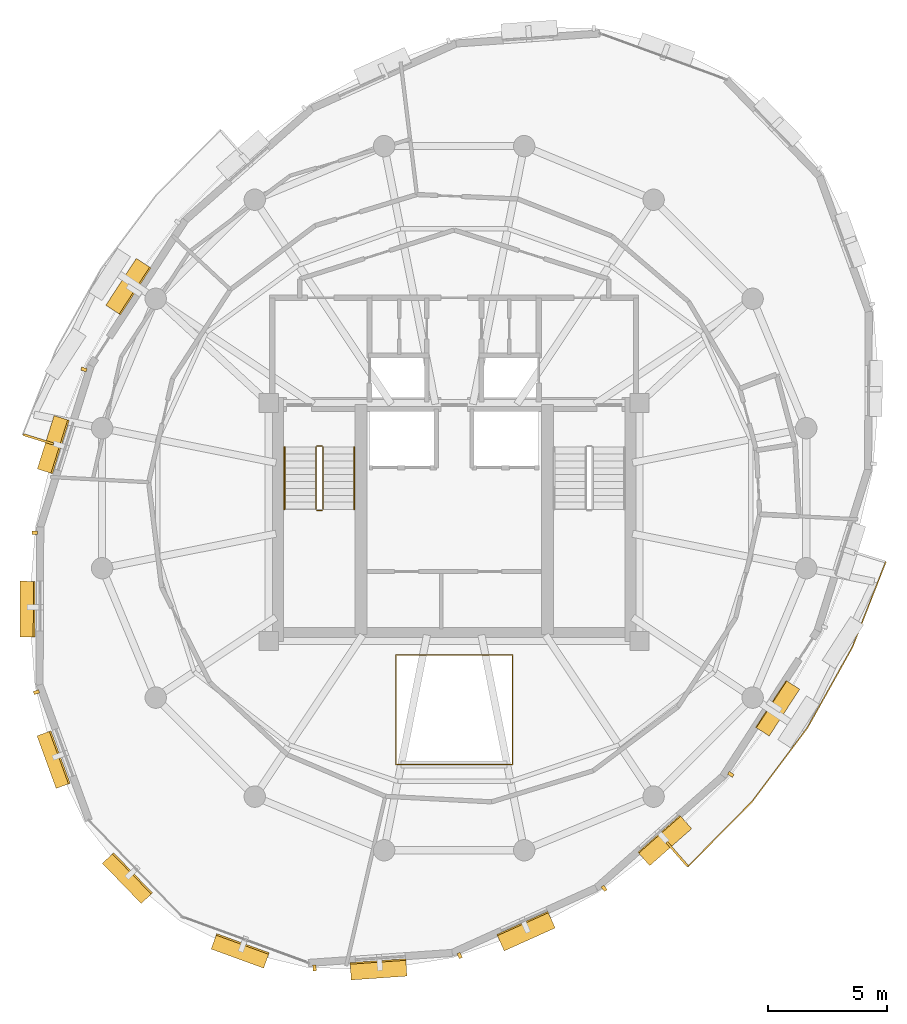
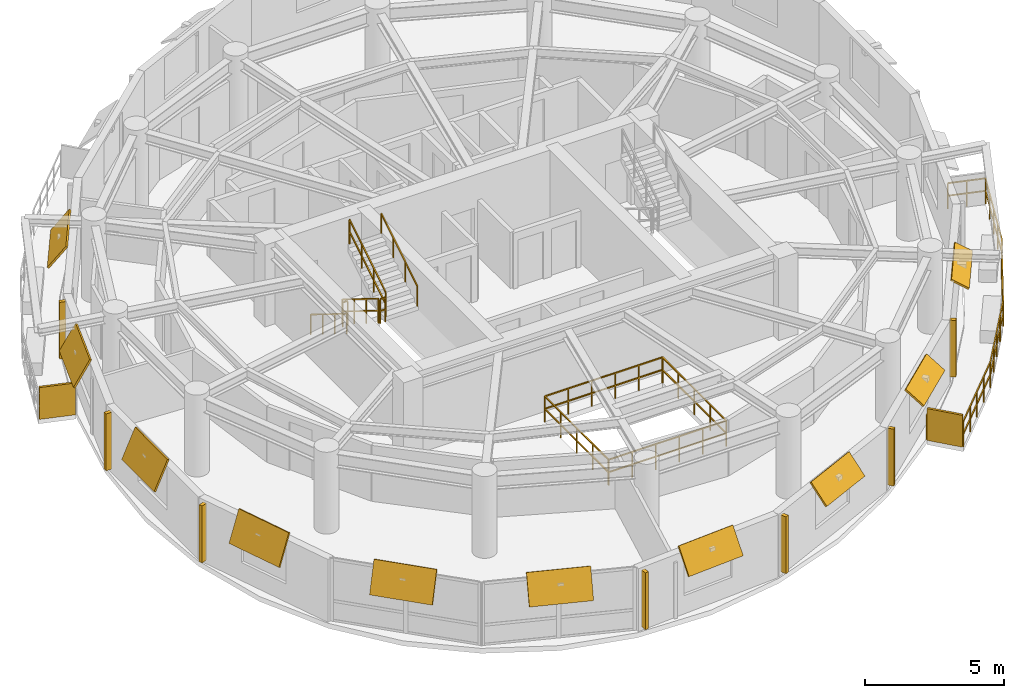
# One storey, part 10 of 11: 19 shading devices, 8 railings.
"""IFC4 building model written with IfcOpenShell, lengths in metres."""

from ifc_helpers import new_model, si_unit, direction, frame, origin, origin_2d, place, context, subcontext, project, spatial, rectangle, extrude, material, layer, layer_set, type_object, element, save


model = new_model("IFC4")

# Units and contexts
model_context = context("Model", 3, precision=1e-05, world=origin(), true_north=direction((0.0, 1.0)))
body_context = subcontext(model_context, "Body", "Model", "MODEL_VIEW")
ifc_project = project(units=[si_unit("LENGTHUNIT", "METRE"), si_unit("AREAUNIT", "SQUARE_METRE"), si_unit("VOLUMEUNIT", "CUBIC_METRE"), si_unit("PLANEANGLEUNIT", "RADIAN"), si_unit("MASSUNIT", "GRAM", prefix="KILO"), si_unit("THERMODYNAMICTEMPERATUREUNIT", "KELVIN"), si_unit("POWERUNIT", "WATT")], contexts=[model_context])

# Site, building, storey
site_placement = place(None, origin())
site = spatial("IfcSite", under=ifc_project, at=site_placement, CompositionType="ELEMENT")
building_placement = place(site_placement, origin())
building = spatial("IfcBuilding", under=site, at=building_placement, Name="Ocrelia Relay Tower", CompositionType="ELEMENT")
storey_placement = place(building_placement, frame((0.0, 0.0, 266.39990234375)))
storey = spatial("IfcBuildingStorey", under=building, at=storey_placement, Name="L66", CompositionType="ELEMENT", Elevation=266.39990234375)

# Railings
ifc_material_1 = material(Name="Steel S355 balustrade", Category="steel")
railing_type_1 = type_object("IfcRailingType", Name="RL-EXT-GUARD-1150", PredefinedType="GUARDRAIL", material=ifc_material_1)
railing_1_placement = place(storey_placement, frame((50.82373046875, 23.729736328125, 0.0)))
element("IfcRailing", 1, at=railing_1_placement, inside=storey, type_object=railing_type_1, Name="L66 Loggia Balcony Guard Rail B2", PredefinedType="GUARDRAIL", context=body_context, shape_type="SweptSolid", body=[
    extrude(rectangle(XDim=0.048095703125, YDim=0.048095703125, at=origin_2d()), frame((0.0, 0.0, 1.1259765625), z_axis=(0.954719725428, -0.297506715687, 0.0), x_axis=(0.297506715687, 0.954719725428, 0.0)), (0.0, 0.0, 1.0), 1.393310546875),
    extrude(rectangle(XDim=0.048095703125, YDim=0.048095703125, at=origin_2d()), frame((0.0, 0.0, 0.574951171875), z_axis=(0.954719725428, -0.297506715687, 0.0), x_axis=(0.297506715687, 0.954719725428, 0.0)), (0.0, 0.0, 1.0), 1.393310546875),
    extrude(rectangle(XDim=0.048095703125, YDim=0.048095703125, at=origin_2d()), frame((1.330322265625, -0.41455078125, 1.1259765625), z_axis=(-0.364279534591, -0.931289654553, 0.0), x_axis=(0.931289654553, -0.364279534591, 0.0)), (0.0, 0.0, 1.0), 1.9208984375),
    extrude(rectangle(XDim=0.048095703125, YDim=0.048095703125, at=origin_2d()), frame((1.330322265625, -0.41455078125, 0.574951171875), z_axis=(-0.364279534591, -0.931289654553, 0.0), x_axis=(0.931289654553, -0.364279534591, 0.0)), (0.0, 0.0, 1.0), 1.9208984375),
    extrude(rectangle(XDim=0.048095703125, YDim=0.048095703125, at=origin_2d()), frame((0.630615234375, -2.203369140625, 1.1259765625), z_axis=(-0.364126183575, -0.931349624167, 0.0), x_axis=(0.931349624167, -0.364126183575, 0.0)), (0.0, 0.0, 1.0), 1.9208984375),
    extrude(rectangle(XDim=0.048095703125, YDim=0.048095703125, at=origin_2d()), frame((0.630615234375, -2.203369140625, 0.574951171875), z_axis=(-0.364126183575, -0.931349624167, 0.0), x_axis=(0.931349624167, -0.364126183575, 0.0)), (0.0, 0.0, 1.0), 1.9208984375),
    extrude(rectangle(XDim=0.048095703125, YDim=0.048095703125, at=origin_2d()), frame((-0.06884765625, -3.992431640625, 1.1259765625), z_axis=(-0.487137508606, -0.87332528173, 0.0), x_axis=(0.87332528173, -0.487137508606, 0.0)), (0.0, 0.0, 1.0), 3.881591796875),
    extrude(rectangle(XDim=0.048095703125, YDim=0.048095703125, at=origin_2d()), frame((-0.06884765625, -3.992431640625, 0.574951171875), z_axis=(-0.487137508606, -0.87332528173, 0.0), x_axis=(0.87332528173, -0.487137508606, 0.0)), (0.0, 0.0, 1.0), 3.881591796875),
    extrude(rectangle(XDim=0.048095703125, YDim=0.048095703125, at=origin_2d()), frame((-1.959716796875, -7.38232421875, 1.1259765625), z_axis=(-0.59968803612, -0.800233877897, 0.0), x_axis=(0.800233877897, -0.59968803612, 0.0)), (0.0, 0.0, 1.0), 3.88232421875),
    extrude(rectangle(XDim=0.048095703125, YDim=0.048095703125, at=origin_2d()), frame((-1.959716796875, -7.38232421875, 0.574951171875), z_axis=(-0.59968803612, -0.800233877897, 0.0), x_axis=(0.800233877897, -0.59968803612, 0.0)), (0.0, 0.0, 1.0), 3.88232421875),
    extrude(rectangle(XDim=0.048095703125, YDim=0.048095703125, at=origin_2d()), frame((-4.287841796875, -10.489013671875, 1.1259765625), z_axis=(-0.702707614437, -0.711478747829, 0.0), x_axis=(0.711478747829, -0.702707614437, 0.0)), (0.0, 0.0, 1.0), 1.920654296875),
    extrude(rectangle(XDim=0.048095703125, YDim=0.048095703125, at=origin_2d()), frame((-4.287841796875, -10.489013671875, 0.574951171875), z_axis=(-0.702707614437, -0.711478747829, 0.0), x_axis=(0.711478747829, -0.702707614437, 0.0)), (0.0, 0.0, 1.0), 1.920654296875),
    extrude(rectangle(XDim=0.048095703125, YDim=0.048095703125, at=origin_2d()), frame((-5.637451171875, -11.85546875, 1.1259765625), z_axis=(-0.702644063333, -0.711541509866, 0.0), x_axis=(0.711541509866, -0.702644063333, 0.0)), (0.0, 0.0, 1.0), 1.920654296875),
    extrude(rectangle(XDim=0.048095703125, YDim=0.048095703125, at=origin_2d()), frame((-5.637451171875, -11.85546875, 0.574951171875), z_axis=(-0.702644063333, -0.711541509866, 0.0), x_axis=(0.711541509866, -0.702644063333, 0.0)), (0.0, 0.0, 1.0), 1.920654296875),
    extrude(rectangle(XDim=0.048095703125, YDim=0.048095703125, at=origin_2d()), frame((-6.987060546875, -13.22216796875, 1.1259765625), z_axis=(-0.660177516294, 0.751109610497, 0.0), x_axis=(-0.751109610497, -0.660177516294, 0.0)), (0.0, 0.0, 1.0), 1.3935546875),
    extrude(rectangle(XDim=0.048095703125, YDim=0.048095703125, at=origin_2d()), frame((-6.987060546875, -13.22216796875, 0.574951171875), z_axis=(-0.660177516294, 0.751109610497, 0.0), x_axis=(-0.751109610497, -0.660177516294, 0.0)), (0.0, 0.0, 1.0), 1.3935546875),
    extrude(rectangle(XDim=0.0419921875, YDim=0.0419921875, at=origin_2d()), origin(), (0.0, 0.0, 1.0), 1.101806640625),
    extrude(rectangle(XDim=0.0419921875, YDim=0.0419921875, at=origin_2d()), frame((0.6650390625, -0.207275390625, 0.0)), (0.0, 0.0, 1.0), 1.101806640625),
    extrude(rectangle(XDim=0.0419921875, YDim=0.0419921875, at=origin_2d()), frame((1.330322265625, -0.41455078125, 0.0)), (0.0, 0.0, 1.0), 1.101806640625),
    extrude(rectangle(XDim=0.0419921875, YDim=0.0419921875, at=origin_2d()), frame((0.98046875, -1.30908203125, 0.0)), (0.0, 0.0, 1.0), 1.101806640625),
    extrude(rectangle(XDim=0.0419921875, YDim=0.0419921875, at=origin_2d()), frame((0.630615234375, -2.203369140625, 0.0)), (0.0, 0.0, 1.0), 1.101806640625),
    extrude(rectangle(XDim=0.0419921875, YDim=0.0419921875, at=origin_2d()), frame((0.28076171875, -3.097900390625, 0.0)), (0.0, 0.0, 1.0), 1.101806640625),
    extrude(rectangle(XDim=0.0419921875, YDim=0.0419921875, at=origin_2d()), frame((-0.06884765625, -3.992431640625, 0.0)), (0.0, 0.0, 1.0), 1.101806640625),
    extrude(rectangle(XDim=0.0419921875, YDim=0.0419921875, at=origin_2d()), frame((-0.54150390625, -4.83984375, 0.0)), (0.0, 0.0, 1.0), 1.101806640625),
    extrude(rectangle(XDim=0.0419921875, YDim=0.0419921875, at=origin_2d()), frame((-1.01416015625, -5.6875, 0.0)), (0.0, 0.0, 1.0), 1.101806640625),
    extrude(rectangle(XDim=0.0419921875, YDim=0.0419921875, at=origin_2d()), frame((-1.487060546875, -6.534912109375, 0.0)), (0.0, 0.0, 1.0), 1.101806640625),
    extrude(rectangle(XDim=0.0419921875, YDim=0.0419921875, at=origin_2d()), frame((-1.959716796875, -7.38232421875, 0.0)), (0.0, 0.0, 1.0), 1.101806640625),
    extrude(rectangle(XDim=0.0419921875, YDim=0.0419921875, at=origin_2d()), frame((-2.541748046875, -8.158935546875, 0.0)), (0.0, 0.0, 1.0), 1.101806640625),
    extrude(rectangle(XDim=0.0419921875, YDim=0.0419921875, at=origin_2d()), frame((-3.123779296875, -8.935546875, 0.0)), (0.0, 0.0, 1.0), 1.101806640625),
    extrude(rectangle(XDim=0.0419921875, YDim=0.0419921875, at=origin_2d()), frame((-3.705810546875, -9.71240234375, 0.0)), (0.0, 0.0, 1.0), 1.101806640625),
    extrude(rectangle(XDim=0.0419921875, YDim=0.0419921875, at=origin_2d()), frame((-4.287841796875, -10.489013671875, 0.0)), (0.0, 0.0, 1.0), 1.101806640625),
    extrude(rectangle(XDim=0.0419921875, YDim=0.0419921875, at=origin_2d()), frame((-4.962646484375, -11.17236328125, 0.0)), (0.0, 0.0, 1.0), 1.101806640625),
    extrude(rectangle(XDim=0.0419921875, YDim=0.0419921875, at=origin_2d()), frame((-5.637451171875, -11.85546875, 0.0)), (0.0, 0.0, 1.0), 1.101806640625),
    extrude(rectangle(XDim=0.0419921875, YDim=0.0419921875, at=origin_2d()), frame((-6.312255859375, -12.538818359375, 0.0)), (0.0, 0.0, 1.0), 1.101806640625),
    extrude(rectangle(XDim=0.0419921875, YDim=0.0419921875, at=origin_2d()), frame((-6.987060546875, -13.22216796875, 0.0)), (0.0, 0.0, 1.0), 1.101806640625),
    extrude(rectangle(XDim=0.0419921875, YDim=0.0419921875, at=origin_2d()), frame((-7.447021484375, -12.69873046875, 0.0)), (0.0, 0.0, 1.0), 1.101806640625),
    extrude(rectangle(XDim=0.0419921875, YDim=0.0419921875, at=origin_2d()), frame((-7.906982421875, -12.175537109375, 0.0)), (0.0, 0.0, 1.0), 1.101806640625),
])
ifc_material_2 = material(Name="Steel S355 atrium balustrade", Category="steel")
railing_type_2 = type_object("IfcRailingType", Name="RL-INT-GUARD-115", PredefinedType="GUARDRAIL", material=ifc_material_2)
railing_2_placement = place(storey_placement, frame((31.550048828125, 14.800048828125, 0.0)))
element("IfcRailing", 2, at=railing_2_placement, inside=storey, type_object=railing_type_2, Name="L66 Multi-Zone Interior Atrium Guard", PredefinedType="GUARDRAIL", context=body_context, shape_type="SweptSolid", body=[
    extrude(rectangle(XDim=0.048095703125, YDim=0.048095703125, at=origin_2d()), frame((0.0, 0.0, 1.1259765625), z_axis=(1.0, 0.0, 0.0), x_axis=(0.0, 1.0, 0.0)), (0.0, 0.0, 1.0), 4.89990234375),
    extrude(rectangle(XDim=0.048095703125, YDim=0.048095703125, at=origin_2d()), frame((0.0, 0.0, 0.574951171875), z_axis=(1.0, 0.0, 0.0), x_axis=(0.0, 1.0, 0.0)), (0.0, 0.0, 1.0), 4.89990234375),
    extrude(rectangle(XDim=0.048095703125, YDim=0.048095703125, at=origin_2d()), frame((4.89990234375, 0.0, 1.1259765625), z_axis=(0.0, 1.0, 0.0), x_axis=(-1.0, 0.0, 0.0)), (0.0, 0.0, 1.0), 4.599853515625),
    extrude(rectangle(XDim=0.048095703125, YDim=0.048095703125, at=origin_2d()), frame((4.89990234375, 0.0, 0.574951171875), z_axis=(0.0, 1.0, 0.0), x_axis=(-1.0, 0.0, 0.0)), (0.0, 0.0, 1.0), 4.599853515625),
    extrude(rectangle(XDim=0.048095703125, YDim=0.048095703125, at=origin_2d()), frame((4.89990234375, 4.599853515625, 1.1259765625), z_axis=(-1.0, 0.0, 0.0), x_axis=(0.0, -1.0, 0.0)), (0.0, 0.0, 1.0), 4.89990234375),
    extrude(rectangle(XDim=0.048095703125, YDim=0.048095703125, at=origin_2d()), frame((4.89990234375, 4.599853515625, 0.574951171875), z_axis=(-1.0, 0.0, 0.0), x_axis=(0.0, -1.0, 0.0)), (0.0, 0.0, 1.0), 4.89990234375),
    extrude(rectangle(XDim=0.048095703125, YDim=0.048095703125, at=origin_2d()), frame((0.0, 4.599853515625, 1.1259765625), z_axis=(0.0, -1.0, 0.0), x_axis=(1.0, 0.0, 0.0)), (0.0, 0.0, 1.0), 4.599853515625),
    extrude(rectangle(XDim=0.048095703125, YDim=0.048095703125, at=origin_2d()), frame((0.0, 4.599853515625, 0.574951171875), z_axis=(0.0, -1.0, 0.0), x_axis=(1.0, 0.0, 0.0)), (0.0, 0.0, 1.0), 4.599853515625),
    extrude(rectangle(XDim=0.0419921875, YDim=0.0419921875, at=origin_2d()), origin(), (0.0, 0.0, 1.0), 1.101806640625),
    extrude(rectangle(XDim=0.0419921875, YDim=0.0419921875, at=origin_2d()), frame((0.97998046875, 0.0, 0.0)), (0.0, 0.0, 1.0), 1.101806640625),
    extrude(rectangle(XDim=0.0419921875, YDim=0.0419921875, at=origin_2d()), frame((1.9599609375, 0.0, 0.0)), (0.0, 0.0, 1.0), 1.101806640625),
    extrude(rectangle(XDim=0.0419921875, YDim=0.0419921875, at=origin_2d()), frame((2.93994140625, 0.0, 0.0)), (0.0, 0.0, 1.0), 1.101806640625),
    extrude(rectangle(XDim=0.0419921875, YDim=0.0419921875, at=origin_2d()), frame((3.919921875, 0.0, 0.0)), (0.0, 0.0, 1.0), 1.101806640625),
    extrude(rectangle(XDim=0.0419921875, YDim=0.0419921875, at=origin_2d()), frame((4.89990234375, 0.0, 0.0)), (0.0, 0.0, 1.0), 1.101806640625),
    extrude(rectangle(XDim=0.0419921875, YDim=0.0419921875, at=origin_2d()), frame((4.89990234375, 1.14990234375, 0.0)), (0.0, 0.0, 1.0), 1.101806640625),
    extrude(rectangle(XDim=0.0419921875, YDim=0.0419921875, at=origin_2d()), frame((4.89990234375, 2.2998046875, 0.0)), (0.0, 0.0, 1.0), 1.101806640625),
    extrude(rectangle(XDim=0.0419921875, YDim=0.0419921875, at=origin_2d()), frame((4.89990234375, 3.449951171875, 0.0)), (0.0, 0.0, 1.0), 1.101806640625),
    extrude(rectangle(XDim=0.0419921875, YDim=0.0419921875, at=origin_2d()), frame((4.89990234375, 4.599853515625, 0.0)), (0.0, 0.0, 1.0), 1.101806640625),
    extrude(rectangle(XDim=0.0419921875, YDim=0.0419921875, at=origin_2d()), frame((3.919921875, 4.599853515625, 0.0)), (0.0, 0.0, 1.0), 1.101806640625),
    extrude(rectangle(XDim=0.0419921875, YDim=0.0419921875, at=origin_2d()), frame((2.93994140625, 4.599853515625, 0.0)), (0.0, 0.0, 1.0), 1.101806640625),
    extrude(rectangle(XDim=0.0419921875, YDim=0.0419921875, at=origin_2d()), frame((1.9599609375, 4.599853515625, 0.0)), (0.0, 0.0, 1.0), 1.101806640625),
    extrude(rectangle(XDim=0.0419921875, YDim=0.0419921875, at=origin_2d()), frame((0.97998046875, 4.599853515625, 0.0)), (0.0, 0.0, 1.0), 1.101806640625),
    extrude(rectangle(XDim=0.0419921875, YDim=0.0419921875, at=origin_2d()), frame((0.0, 4.599853515625, 0.0)), (0.0, 0.0, 1.0), 1.101806640625),
    extrude(rectangle(XDim=0.0419921875, YDim=0.0419921875, at=origin_2d()), frame((0.0, 3.449951171875, 0.0)), (0.0, 0.0, 1.0), 1.101806640625),
    extrude(rectangle(XDim=0.0419921875, YDim=0.0419921875, at=origin_2d()), frame((0.0, 2.2998046875, 0.0)), (0.0, 0.0, 1.0), 1.101806640625),
    extrude(rectangle(XDim=0.0419921875, YDim=0.0419921875, at=origin_2d()), frame((0.0, 1.14990234375, 0.0)), (0.0, 0.0, 1.0), 1.101806640625),
])
railing_type_3 = type_object("IfcRailingType", Name="RL-STAIR-GUARD", PredefinedType="GUARDRAIL", material=ifc_material_1)
railing_3_placement = place(storey_placement, frame((28.179931640625, 28.14990234375, 0.18017578125)))
element("IfcRailing", 3, at=railing_3_placement, inside=storey, type_object=railing_type_3, Name="L66 ST1 stair guard 1", PredefinedType="GUARDRAIL", context=body_context, shape_type="SweptSolid", body=[
    extrude(rectangle(XDim=0.048095703125, YDim=0.048095703125, at=origin_2d()), frame((0.0, 0.0, 1.076171875), z_axis=(0.0, -0.849646306263, 0.527352969322), x_axis=(1.0, 0.0, 0.0)), (0.0, 0.0, 1.0), 3.07177734375),
    extrude(rectangle(XDim=0.048095703125, YDim=0.048095703125, at=origin_2d()), frame((0.0, 0.0, 0.550048828125), z_axis=(0.0, -0.849646306263, 0.527352969322), x_axis=(1.0, 0.0, 0.0)), (0.0, 0.0, 1.0), 3.07177734375),
    extrude(rectangle(XDim=0.0419921875, YDim=0.0419921875, at=origin_2d()), origin(), (0.0, 0.0, 1.0), 1.052001953125),
    extrude(rectangle(XDim=0.0419921875, YDim=0.0419921875, at=origin_2d()), frame((0.0, -0.869873046875, 0.5400390625)), (0.0, 0.0, 1.0), 1.052001953125),
    extrude(rectangle(XDim=0.0419921875, YDim=0.0419921875, at=origin_2d()), frame((0.0, -1.739990234375, 1.079833984375)), (0.0, 0.0, 1.0), 1.052001953125),
    extrude(rectangle(XDim=0.0419921875, YDim=0.0419921875, at=origin_2d()), frame((0.0, -2.60986328125, 1.619873046875)), (0.0, 0.0, 1.0), 1.052001953125),
])
railing_4_placement = place(storey_placement, frame((28.22998046875, 25.489990234375, 1.800048828125)))
element("IfcRailing", 4, at=railing_4_placement, inside=storey, type_object=railing_type_3, Name="L66 ST1 stair guard 2", PredefinedType="GUARDRAIL", context=body_context, shape_type="SweptSolid", body=[
    extrude(rectangle(XDim=0.048095703125, YDim=0.048095703125, at=origin_2d()), frame((0.0, 0.0, 1.076171875), z_axis=(1.0, 0.0, 0.0), x_axis=(0.0, 1.0, 0.0)), (0.0, 0.0, 1.0), 0.199951171875),
    extrude(rectangle(XDim=0.048095703125, YDim=0.048095703125, at=origin_2d()), frame((0.0, 0.0, 0.550048828125), z_axis=(1.0, 0.0, 0.0), x_axis=(0.0, 1.0, 0.0)), (0.0, 0.0, 1.0), 0.199951171875),
    extrude(rectangle(XDim=0.0419921875, YDim=0.0419921875, at=origin_2d()), origin(), (0.0, 0.0, 1.0), 1.052001953125),
    extrude(rectangle(XDim=0.0419921875, YDim=0.0419921875, at=origin_2d()), frame((0.199951171875, 0.0, 0.0)), (0.0, 0.0, 1.0), 1.052001953125),
])
railing_5_placement = place(storey_placement, frame((28.47998046875, 25.5400390625, 1.97998046875)))
element("IfcRailing", 5, at=railing_5_placement, inside=storey, type_object=railing_type_3, Name="L66 ST1 stair guard 3", PredefinedType="GUARDRAIL", context=body_context, shape_type="SweptSolid", body=[
    extrude(rectangle(XDim=0.048095703125, YDim=0.048095703125, at=origin_2d()), frame((0.0, 0.0, 1.076171875), z_axis=(0.0, 0.849610693518, 0.52741034258), x_axis=(-1.0, 0.0, 0.0)), (0.0, 0.0, 1.0), 3.07177734375),
    extrude(rectangle(XDim=0.048095703125, YDim=0.048095703125, at=origin_2d()), frame((0.0, 0.0, 0.550048828125), z_axis=(0.0, 0.849610693518, 0.52741034258), x_axis=(-1.0, 0.0, 0.0)), (0.0, 0.0, 1.0), 3.07177734375),
    extrude(rectangle(XDim=0.0419921875, YDim=0.0419921875, at=origin_2d()), origin(), (0.0, 0.0, 1.0), 1.052001953125),
    extrude(rectangle(XDim=0.0419921875, YDim=0.0419921875, at=origin_2d()), frame((0.0, 0.869873046875, 0.5400390625)), (0.0, 0.0, 1.0), 1.052001953125),
    extrude(rectangle(XDim=0.0419921875, YDim=0.0419921875, at=origin_2d()), frame((0.0, 1.739990234375, 1.080078125)), (0.0, 0.0, 1.0), 1.052001953125),
    extrude(rectangle(XDim=0.0419921875, YDim=0.0419921875, at=origin_2d()), frame((0.0, 2.60986328125, 1.6201171875)), (0.0, 0.0, 1.0), 1.052001953125),
])
railing_6_placement = place(storey_placement, frame((28.22998046875, 28.199951171875, 0.0)))
element("IfcRailing", 6, at=railing_6_placement, inside=storey, type_object=railing_type_3, Name="L66 ST1 stair guard 4", PredefinedType="GUARDRAIL", context=body_context, shape_type="SweptSolid", body=[
    extrude(rectangle(XDim=0.048095703125, YDim=0.048095703125, at=origin_2d()), frame((0.0, 0.0, 1.076171875), z_axis=(1.0, 0.0, 0.0), x_axis=(0.0, 1.0, 0.0)), (0.0, 0.0, 1.0), 0.199951171875),
    extrude(rectangle(XDim=0.048095703125, YDim=0.048095703125, at=origin_2d()), frame((0.0, 0.0, 0.550048828125), z_axis=(1.0, 0.0, 0.0), x_axis=(0.0, 1.0, 0.0)), (0.0, 0.0, 1.0), 0.199951171875),
    extrude(rectangle(XDim=0.0419921875, YDim=0.0419921875, at=origin_2d()), origin(), (0.0, 0.0, 1.0), 1.052001953125),
    extrude(rectangle(XDim=0.0419921875, YDim=0.0419921875, at=origin_2d()), frame((0.199951171875, 0.0, 0.0)), (0.0, 0.0, 1.0), 1.052001953125),
])
ifc_material_3 = material(Name="Steel S355 tubular handrail", Category="steel")
railing_type_4 = type_object("IfcRailingType", Name="RL-STAIR-HAND", PredefinedType="HANDRAIL", material=ifc_material_3)
railing_7_placement = place(storey_placement, frame((26.860107421875, 28.14990234375, 0.18017578125)))
element("IfcRailing", 7, at=railing_7_placement, inside=storey, type_object=railing_type_4, Name="L66 ST1 stair handrail 1", PredefinedType="HANDRAIL", context=body_context, shape_type="SweptSolid", body=[
    extrude(rectangle(XDim=0.048095703125, YDim=0.048095703125, at=origin_2d()), frame((0.0, 0.0, 0.8759765625), z_axis=(0.0, -0.849646306263, 0.527352969322), x_axis=(1.0, 0.0, 0.0)), (0.0, 0.0, 1.0), 3.07177734375),
    extrude(rectangle(XDim=0.0419921875, YDim=0.0419921875, at=origin_2d()), origin(), (0.0, 0.0, 1.0), 0.851806640625),
    extrude(rectangle(XDim=0.0419921875, YDim=0.0419921875, at=origin_2d()), frame((0.0, -0.869873046875, 0.5400390625)), (0.0, 0.0, 1.0), 0.851806640625),
    extrude(rectangle(XDim=0.0419921875, YDim=0.0419921875, at=origin_2d()), frame((0.0, -1.739990234375, 1.079833984375)), (0.0, 0.0, 1.0), 0.851806640625),
    extrude(rectangle(XDim=0.0419921875, YDim=0.0419921875, at=origin_2d()), frame((0.0, -2.60986328125, 1.619873046875)), (0.0, 0.0, 1.0), 0.851806640625),
])
railing_8_placement = place(storey_placement, frame((29.800048828125, 25.5400390625, 1.97998046875)))
element("IfcRailing", 8, at=railing_8_placement, inside=storey, type_object=railing_type_4, Name="L66 ST1 stair handrail 2", PredefinedType="HANDRAIL", context=body_context, shape_type="SweptSolid", body=[
    extrude(rectangle(XDim=0.048095703125, YDim=0.048095703125, at=origin_2d()), frame((0.0, 0.0, 0.8759765625), z_axis=(0.0, 0.849610693518, 0.52741034258), x_axis=(-1.0, 0.0, 0.0)), (0.0, 0.0, 1.0), 3.07177734375),
    extrude(rectangle(XDim=0.0419921875, YDim=0.0419921875, at=origin_2d()), origin(), (0.0, 0.0, 1.0), 0.851806640625),
    extrude(rectangle(XDim=0.0419921875, YDim=0.0419921875, at=origin_2d()), frame((0.0, 0.869873046875, 0.5400390625)), (0.0, 0.0, 1.0), 0.851806640625),
    extrude(rectangle(XDim=0.0419921875, YDim=0.0419921875, at=origin_2d()), frame((0.0, 1.739990234375, 1.080078125)), (0.0, 0.0, 1.0), 0.851806640625),
    extrude(rectangle(XDim=0.0419921875, YDim=0.0419921875, at=origin_2d()), frame((0.0, 2.60986328125, 1.6201171875)), (0.0, 0.0, 1.0), 0.851806640625),
])

# Shading devices
ifc_material_4 = material(Name="Perforated oxide terracotta solar screen", Category="masonry")
ifc_layer_1 = layer(ifc_material_4, 0.090087890625, Name="Perforated oxide terracotta solar screen")
ifc_layer_set_1 = layer_set([ifc_layer_1], Name="Perforated oxide terracotta solar screen")
shading_device_type_1 = type_object("IfcShadingDeviceType", Name="SH-BALC-SCREEN", PredefinedType="USERDEFINED", material=ifc_layer_set_1)
for number, where, z_axis, x_axis, name in (
    (9, (16.51123046875, 28.4775390625, 0.000244140625), (0.0, 0.0, 1.0), (-0.954687889264, 0.29760886091, 0.0), "L66 Balcony Perforated Terracotta Screen B1-2"),
    (10, (43.376708984375, 11.03076171875, 0.000244140625), (0.0, 0.0, 1.0), (0.660220126372, -0.751072156809, 0.0), "L66 Balcony Perforated Terracotta Screen B2-1"),
):
    element("IfcShadingDevice", number, at=place(storey_placement, frame(where, z_axis=z_axis, x_axis=x_axis)), inside=storey, type_object=shading_device_type_1, Name=name, ObjectType="SCREEN", PredefinedType="USERDEFINED", context=body_context, shape_type="SweptSolid", body=[
        extrude(rectangle(XDim=1.340087890625, YDim=0.090087890625, at=origin_2d()), origin(), (0.0, 0.0, 1.0), 1.39990234375),
    ])
ifc_material_5 = material(Name="Extruded oxide terracotta vertical baguette", Category="masonry")
shading_device_type_2 = type_object("IfcShadingDeviceType", Name="SH-TERR-BAGUETTE", PredefinedType="USERDEFINED", material=ifc_material_5)
for number, where, z_axis, x_axis, name in (
    (11, (18.42529296875, 31.4169921875, 0.130126953125), (0.0, 0.0, 1.0), (-0.299189540932, -0.954193700774, 0.0), "L66 Oxide Terracotta Vertical Baguette 06"),
    (12, (16.356689453125, 24.548828125, 0.130126953125), (0.0, 0.0, 1.0), (-0.004305179057, -0.999990732674, 0.0), "L66 Oxide Terracotta Vertical Baguette 07"),
    (13, (16.42529296875, 17.840576171875, 0.130126953125), (0.0, 0.0, 1.0), (0.342316519811, -0.939584695631, 0.0), "L66 Oxide Terracotta Vertical Baguette 08"),
    (14, (28.1259765625, 6.23828125, 0.130126953125), (0.0, 0.0, 1.0), (0.997585371501, 0.069450893212, 0.0), "L66 Oxide Terracotta Vertical Baguette 11"),
    (15, (34.23095703125, 6.7607421875, 0.130126953125), (0.0, 0.0, 1.0), (0.911788515495, 0.410660082077, 0.0), "L66 Oxide Terracotta Vertical Baguette 12"),
    (16, (40.306884765625, 9.586181640625, 0.130126953125), (0.0, 0.0, 1.0), (0.750017473549, 0.661418014096, 0.0), "L66 Oxide Terracotta Vertical Baguette 13"),
    (17, (45.635009765625, 14.382080078125, 0.130126953125), (0.0, 0.0, 1.0), (0.544632623088, 0.838674731865, 0.0), "L66 Oxide Terracotta Vertical Baguette 14"),
):
    element("IfcShadingDevice", number, at=place(storey_placement, frame(where, z_axis=z_axis, x_axis=x_axis)), inside=storey, type_object=shading_device_type_2, Name=name, ObjectType="BAGUETTE", PredefinedType="USERDEFINED", context=body_context, shape_type="SweptSolid", body=[
        extrude(rectangle(XDim=0.139892578125, YDim=0.239990234375, at=origin_2d()), origin(), (0.0, 0.0, 1.0), 2.5),
    ])
ifc_material_6 = material(Name="Extruded oxide terracotta fin", Category="masonry")
ifc_layer_2 = layer(ifc_material_6, 0.080078125, Name="Extruded oxide terracotta fin")
ifc_layer_set_2 = layer_set([ifc_layer_2], Name="Extruded oxide terracotta fin")
shading_device_type_3 = type_object("IfcShadingDeviceType", Name="SH-VISOR-FIN-DEEP", PredefinedType="USERDEFINED", material=ifc_layer_set_2)
shading_device_1_placement = place(storey_placement, frame((20.32275390625, 34.882080078125, 2.576904296875), z_axis=(-0.684643102206, 0.444604987448, 0.577572703422), x_axis=(-0.544632623088, -0.838674731865, 0.0)))
element("IfcShadingDevice", 18, at=shading_device_1_placement, inside=storey, type_object=shading_device_type_3, Name="L66 Canted Terracotta Sun-Visor Fin 05", ObjectType="FIN", PredefinedType="USERDEFINED", context=body_context, shape_type="SweptSolid", body=[
    extrude(rectangle(XDim=2.35009765625, YDim=1.162109375, at=origin_2d()), origin(), (0.0, 0.0, 1.0), 0.080078125),
])
shading_device_2_placement = place(storey_placement, frame((17.169921875, 28.240966796875, 2.58154296875), z_axis=(-0.844216885348, 0.264706067719, 0.466077834922), x_axis=(-0.299189540932, -0.954193700774, 0.0)))
element("IfcShadingDevice", 19, at=shading_device_2_placement, inside=storey, type_object=shading_device_type_3, Name="L66 Canted Terracotta Sun-Visor Fin 06", ObjectType="FIN", PredefinedType="USERDEFINED", context=body_context, shape_type="SweptSolid", body=[
    extrude(rectangle(XDim=2.35009765625, YDim=1.287109375, at=origin_2d()), origin(), (0.0, 0.0, 1.0), 0.080078125),
])
shading_device_3_placement = place(storey_placement, frame((16.091064453125, 21.3310546875, 2.58349609375), z_axis=(-0.910675221204, 0.003920656224, 0.413104429825), x_axis=(-0.004305179057, -0.999990732674, 0.0)))
element("IfcShadingDevice", 20, at=shading_device_3_placement, inside=storey, type_object=shading_device_type_3, Name="L66 Canted Terracotta Sun-Visor Fin 07", ObjectType="FIN", PredefinedType="USERDEFINED", context=body_context, shape_type="SweptSolid", body=[
    extrude(rectangle(XDim=2.35009765625, YDim=1.343017578125, at=origin_2d()), origin(), (0.0, 0.0, 1.0), 0.080078125),
])
shading_device_4_placement = place(storey_placement, frame((17.181396484375, 15.01611328125, 2.583740234375), z_axis=(-0.856745002308, -0.312135743504, 0.410559713862), x_axis=(0.342316519811, -0.939584695631, 0.0)))
element("IfcShadingDevice", 21, at=shading_device_4_placement, inside=storey, type_object=shading_device_type_3, Name="L66 Canted Terracotta Sun-Visor Fin 08", ObjectType="FIN", PredefinedType="USERDEFINED", context=body_context, shape_type="SweptSolid", body=[
    extrude(rectangle(XDim=2.35009765625, YDim=1.345947265625, at=origin_2d()), origin(), (0.0, 0.0, 1.0), 0.080078125),
])
shading_device_5_placement = place(storey_placement, frame((20.27978515625, 10.04296875, 2.58251953125), z_axis=(-0.645301318607, -0.624200162509, 0.440409315668), x_axis=(0.695257493895, -0.718760751004, 0.0)))
element("IfcShadingDevice", 22, at=shading_device_5_placement, inside=storey, type_object=shading_device_type_3, Name="L66 Canted Terracotta Sun-Visor Fin 09", ObjectType="FIN", PredefinedType="USERDEFINED", context=body_context, shape_type="SweptSolid", body=[
    extrude(rectangle(XDim=2.35009765625, YDim=1.31494140625, at=origin_2d()), origin(), (0.0, 0.0, 1.0), 0.080078125),
])
shading_device_6_placement = place(storey_placement, frame((25.009521484375, 6.989013671875, 2.580322265625), z_axis=(-0.298268353561, -0.817377558936, 0.492879209759), x_axis=(0.939408893215, -0.342798674659, 0.0)))
element("IfcShadingDevice", 23, at=shading_device_6_placement, inside=storey, type_object=shading_device_type_3, Name="L66 Canted Terracotta Sun-Visor Fin 10", ObjectType="FIN", PredefinedType="USERDEFINED", context=body_context, shape_type="SweptSolid", body=[
    extrude(rectangle(XDim=2.35009765625, YDim=1.258056640625, at=origin_2d()), origin(), (0.0, 0.0, 1.0), 0.080078125),
])
shading_device_7_placement = place(storey_placement, frame((30.814453125, 6.2119140625, 2.577392578125), z_axis=(0.057208823274, -0.82174155838, 0.566981447466), x_axis=(0.997585371501, 0.069450893212, 0.0)))
element("IfcShadingDevice", 24, at=shading_device_7_placement, inside=storey, type_object=shading_device_type_3, Name="L66 Canted Terracotta Sun-Visor Fin 11", ObjectType="FIN", PredefinedType="USERDEFINED", context=body_context, shape_type="SweptSolid", body=[
    extrude(rectangle(XDim=2.35009765625, YDim=1.174072265625, at=origin_2d()), origin(), (0.0, 0.0, 1.0), 0.080078125),
])
ifc_layer_3 = layer(ifc_material_6, 0.080078125, Name="Extruded oxide terracotta fin")
ifc_layer_set_3 = layer_set([ifc_layer_3], Name="Extruded oxide terracotta fin")
shading_device_type_4 = type_object("IfcShadingDeviceType", Name="SH-VISOR-FIN-MED", PredefinedType="USERDEFINED", material=ifc_layer_set_3)
shading_device_8_placement = place(storey_placement, frame((37.0087890625, 7.8134765625, 2.573486328125), z_axis=(0.307328638518, -0.682361727652, 0.66327338299), x_axis=(0.911788515495, 0.410660082077, 0.0)))
element("IfcShadingDevice", 25, at=shading_device_8_placement, inside=storey, type_object=shading_device_type_4, Name="L66 Canted Terracotta Sun-Visor Fin 12", ObjectType="FIN", PredefinedType="USERDEFINED", context=body_context, shape_type="SweptSolid", body=[
    extrude(rectangle(XDim=2.35009765625, YDim=1.056884765625, at=origin_2d()), origin(), (0.0, 0.0, 1.0), 0.080078125),
])
shading_device_9_placement = place(storey_placement, frame((42.8427734375, 11.620361328125, 2.569091796875), z_axis=(0.418393300269, -0.474438674681, 0.774503060199), x_axis=(0.750017473549, 0.661418014096, 0.0)))
element("IfcShadingDevice", 26, at=shading_device_9_placement, inside=storey, type_object=shading_device_type_4, Name="L66 Canted Terracotta Sun-Visor Fin 13", ObjectType="FIN", PredefinedType="USERDEFINED", context=body_context, shape_type="SweptSolid", body=[
    extrude(rectangle(XDim=2.35009765625, YDim=0.904052734375, at=origin_2d()), origin(), (0.0, 0.0, 1.0), 0.080078125),
])
ifc_layer_4 = layer(ifc_material_6, 0.080078125, Name="Extruded oxide terracotta fin")
ifc_layer_set_4 = layer_set([ifc_layer_4], Name="Extruded oxide terracotta fin")
shading_device_type_5 = type_object("IfcShadingDeviceType", Name="SH-VISOR-FIN-SHAL", PredefinedType="USERDEFINED", material=ifc_layer_set_4)
shading_device_10_placement = place(storey_placement, frame((47.588623046875, 17.175537109375, 2.565185546875), z_axis=(0.410177370858, -0.266367840754, 0.872240046001), x_axis=(0.544632623088, 0.838674731865, 0.0)))
element("IfcShadingDevice", 27, at=shading_device_10_placement, inside=storey, type_object=shading_device_type_5, Name="L66 Canted Terracotta Sun-Visor Fin 14", ObjectType="FIN", PredefinedType="USERDEFINED", context=body_context, shape_type="SweptSolid", body=[
    extrude(rectangle(XDim=2.35009765625, YDim=0.738037109375, at=origin_2d()), origin(), (0.0, 0.0, 1.0), 0.080078125),
])

save(model, "model.ifc")
